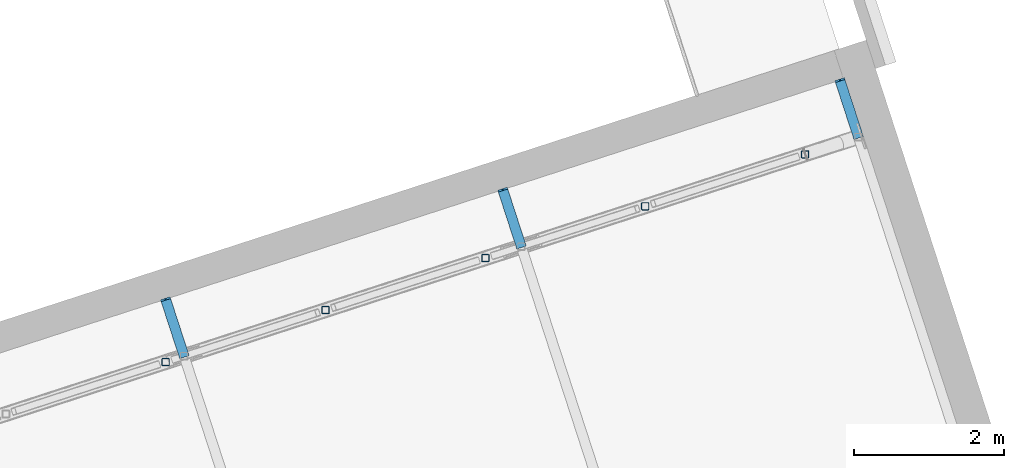
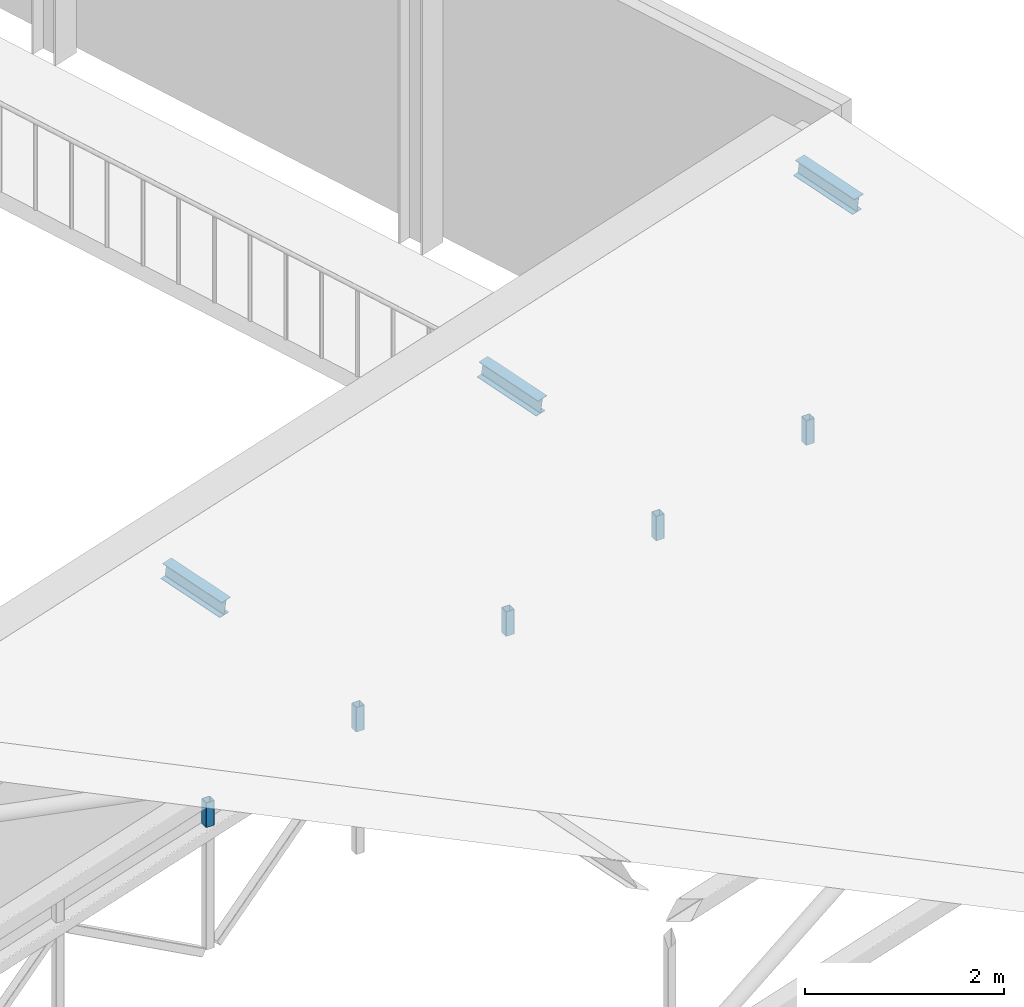
# One storey, part 42 of 55: 8 members.
"""IFC4 building model written with IfcOpenShell, lengths in metres."""

from ifc_helpers import new_model, si_unit, direction, frame, origin, origin_2d, place, context, subcontext, project, spatial, hollow_rectangle, i_section, extrude, material, material_profile, profile_set, type_object, element, save


model = new_model("IFC4")

# Units and contexts
model_context = context("Model", 3, precision=1e-05, world=origin(), true_north=direction((0.0, 1.0)))
body_context = subcontext(model_context, "Body", "Model", "MODEL_VIEW")
ifc_project = project(units=[si_unit("LENGTHUNIT", "METRE"), si_unit("AREAUNIT", "SQUARE_METRE"), si_unit("VOLUMEUNIT", "CUBIC_METRE"), si_unit("PLANEANGLEUNIT", "RADIAN"), si_unit("MASSUNIT", "GRAM", prefix="KILO")], contexts=[model_context])

# Site, building, storey
site_placement = place(None, origin())
site = spatial("IfcSite", under=ifc_project, at=site_placement, CompositionType="ELEMENT")
building_placement = place(site_placement, origin())
building = spatial("IfcBuilding", under=site, at=building_placement, Name="Tuart Plaza Theatre", CompositionType="ELEMENT")
storey_placement = place(building_placement, frame((0.0, 0.0, 21.5)))
storey = spatial("IfcBuildingStorey", under=building, at=storey_placement, Name="L05", CompositionType="ELEMENT", Elevation=21.5)

# Members
ifc_material_1 = material(Name="Steel Grade C350L0", Category="steel")
ifc_material_profile_1 = material_profile(ifc_material_1, hollow_rectangle(XDim=0.10009765625, YDim=0.10009765625, WallThickness=0.006103515625, InnerFilletRadius=0.006103515625, OuterFilletRadius=0.011962890625, at=origin_2d()), Name="100x100x6 SHS")
ifc_profile_set_1 = profile_set([ifc_material_profile_1], Name="Steel Grade C350L0")
member_type_1 = type_object("IfcMemberType", Name="MEMBER Post 100x100x6 SHS", PredefinedType="POST", material=ifc_profile_set_1)
for number, where, z_axis, x_axis, name in (
    (1, (59.710693359375, 73.544677734375, 0.975830078125), (0.0, 0.0, 1.0), (1.0, 0.0, 0.0), "PO208"),
    (2, (61.8486328125, 74.2392578125, 0.975830078125), (0.0, 0.0, 1.0), (1.0, 0.0, 0.0), "PO209"),
    (3, (63.986572265625, 74.93408203125, 0.975830078125), (0.0, 0.0, 1.0), (1.0, 0.0, 0.0), "PO210"),
    (4, (66.12451171875, 75.628662109375, 0.975830078125), (0.0, 0.0, 1.0), (1.0, 0.0, 0.0), "PO211"),
    (5, (68.262451171875, 76.3232421875, 0.975830078125), (0.0, 0.0, 1.0), (1.0, 0.0, 0.0), "PO212"),
):
    element("IfcMember", number, at=place(storey_placement, frame(where, z_axis=z_axis, x_axis=x_axis)), inside=storey, type_object=member_type_1, Name=name, PredefinedType="POST", context=body_context, shape_type="SweptSolid", body=[
        extrude(hollow_rectangle(XDim=0.10009765625, YDim=0.10009765625, WallThickness=0.006103515625, InnerFilletRadius=0.006103515625, OuterFilletRadius=0.011962890625, at=origin_2d()), origin(), (0.0, 0.0, 1.0), 0.300048828125),
    ])
ifc_material_2 = material(Name="Steel Grade 300", Category="steel")
ifc_material_profile_2 = material_profile(ifc_material_2, i_section(OverallWidth=0.133056640625, OverallDepth=0.202880859375, WebThickness=0.005859375, FlangeThickness=0.0078125, FilletRadius=0.0087890625, at=origin_2d()), Name="200UB25.4")
ifc_profile_set_2 = profile_set([ifc_material_profile_2], Name="Steel Grade 300")
member_type_2 = type_object("IfcMemberType", Name="MEMBER Purlin 200UB25.4", PredefinedType="PURLIN", material=ifc_profile_set_2)
for number, where, z_axis, x_axis, name in (
    (6, (59.95654296875, 73.62451171875, 3.491455078125), (-0.306504046324, 0.94281007734, 0.131013081992), (-0.951007150825, -0.309168884398, 0.0), "PU30"),
    (7, (64.466064453125, 75.08984375, 3.491455078125), (-0.306504046324, 0.94281007734, 0.131013081992), (-0.951007150825, -0.309168884398, 0.0), "PU36"),
):
    element("IfcMember", number, at=place(storey_placement, frame(where, z_axis=z_axis, x_axis=x_axis)), inside=storey, type_object=member_type_2, Name=name, PredefinedType="PURLIN", context=body_context, shape_type="SweptSolid", body=[
        extrude(i_section(OverallWidth=0.133056640625, OverallDepth=0.202880859375, WebThickness=0.005859375, FlangeThickness=0.0078125, FilletRadius=0.0087890625, at=origin_2d()), origin(), (0.0, 0.0, 1.0), 0.806884765625),
    ])
member_placement = place(storey_placement, frame((68.9755859375, 76.554931640625, 3.491455078125), z_axis=(-0.30614251249, 0.942931038963, 0.130987853664), x_axis=(-0.951125965834, -0.308803168888, 0.0)))
element("IfcMember", 8, at=member_placement, inside=storey, type_object=member_type_2, Name="PU42", PredefinedType="PURLIN", context=body_context, shape_type="SweptSolid", body=[
    extrude(i_section(OverallWidth=0.133056640625, OverallDepth=0.202880859375, WebThickness=0.005859375, FlangeThickness=0.0078125, FilletRadius=0.0087890625, at=origin_2d()), origin(), (0.0, 0.0, 1.0), 0.80712890625),
])

save(model, "model.ifc")
